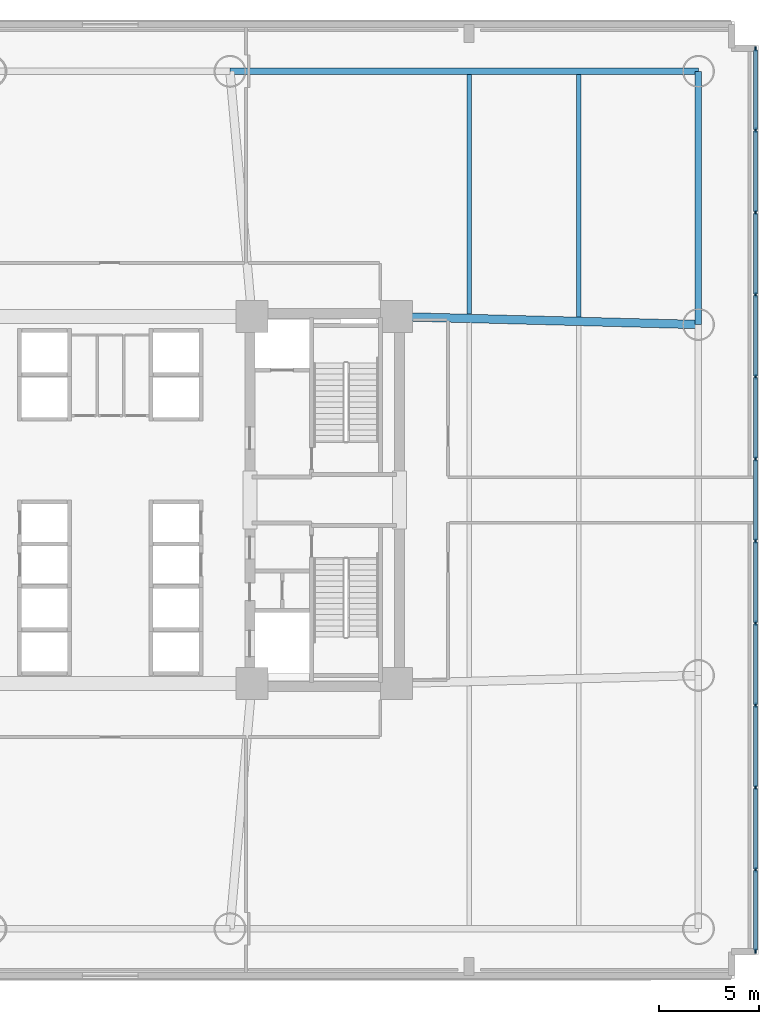
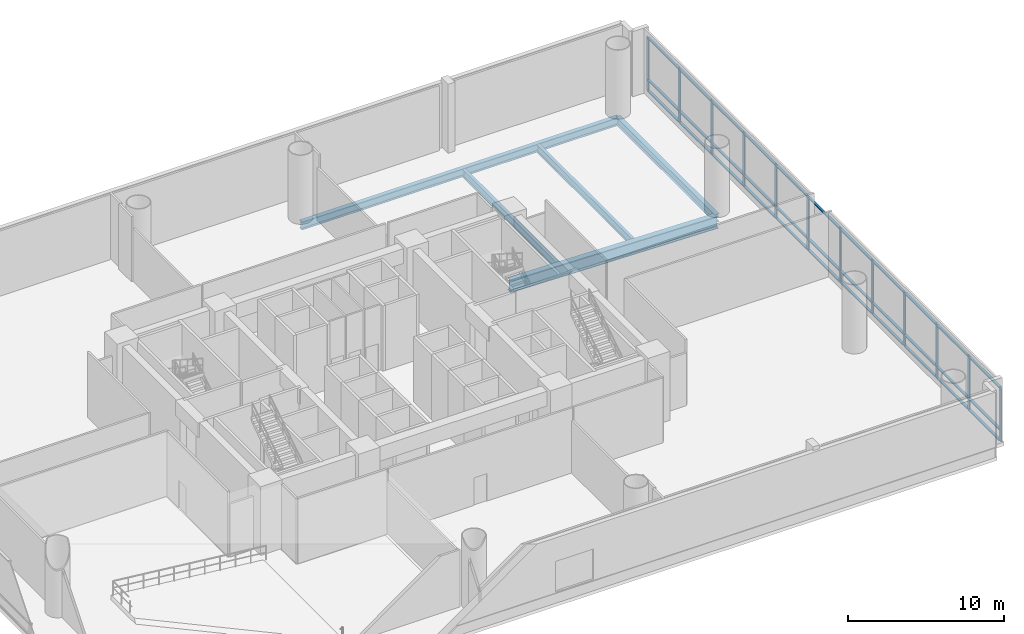
# One storey, part 5 of 15: 45 members, 5 beams, 1 element without a shape of its own.
"""IFC4 building model written with IfcOpenShell, lengths in metres."""

from ifc_helpers import new_model, si_unit, direction, frame, origin, origin_2d, place, context, subcontext, project, spatial, rectangle, i_section, extrude, source, transform, mapped, material, layer, layer_set, material_profile, profile_set, type_object, element, aggregate, save


model = new_model("IFC4")

# Units and contexts
model_context = context("Model", 3, precision=1e-05, world=origin(), true_north=direction((0.0, 1.0)))
body_context = subcontext(model_context, "Body", "Model", "MODEL_VIEW")
ifc_project = project(units=[si_unit("LENGTHUNIT", "METRE"), si_unit("AREAUNIT", "SQUARE_METRE"), si_unit("VOLUMEUNIT", "CUBIC_METRE"), si_unit("PLANEANGLEUNIT", "RADIAN"), si_unit("MASSUNIT", "GRAM", prefix="KILO")], contexts=[model_context])

# Site, building, storey
site_placement = place(None, origin())
site = spatial("IfcSite", under=ifc_project, at=site_placement, CompositionType="ELEMENT")
building_placement = place(site_placement, origin())
building = spatial("IfcBuilding", under=site, at=building_placement, Name="Zahravan Cultural Tower", CompositionType="ELEMENT")
storey_placement = place(building_placement, frame((0.0, 0.0, 12.60009765625)))
storey = spatial("IfcBuildingStorey", under=building, at=storey_placement, Name="L02", CompositionType="ELEMENT", Elevation=12.60009765625)

# Beams
ifc_material_1 = material(Name="Steel ASTM A992 Grade 50", Category="steel")
ifc_material_profile_1 = material_profile(ifc_material_1, i_section(OverallWidth=0.326904296875, OverallDepth=0.6220703125, WebThickness=0.015380859375, FlangeThickness=0.0244140625, FilletRadius=0.014892578125, at=origin_2d()), Name="W24X131")
ifc_profile_set_1 = profile_set([ifc_material_profile_1], Name="Steel ASTM A992 Grade 50")
beam_type_1 = type_object("IfcBeamType", Name="BM-SP-W24X131", PredefinedType="SPANDREL", material=ifc_profile_set_1)
shared_shape_1 = source(origin(), body_context, "Body", "SweptSolid", [
    extrude(i_section(OverallWidth=0.326904296875, OverallDepth=0.6220703125, WebThickness=0.015380859375, FlangeThickness=0.0244140625, FilletRadius=0.014892578125, at=origin_2d()), origin(), (0.0, 0.0, 1.0), 23.5),
])
beam_1_placement = place(storey_placement, frame((42.0, 48.5, -0.611083984375), z_axis=(1.0, 0.0, 0.0), x_axis=(0.0, 1.0, 0.0)))
element("IfcBeam", 1, at=beam_1_placement, inside=storey, type_object=beam_type_1, Name="L02 Beam BG-L02-12", PredefinedType="SPANDREL", context=body_context, shape_type="MappedRepresentation", body=[
    mapped(shared_shape_1, transform((0.0, 0.0, 0.0), x_axis=(1.0, 0.0, 0.0), y_axis=(0.0, 1.0, 0.0), z_axis=(0.0, 0.0, 1.0), scale=1.0)),
])
shared_shape_2 = source(origin(), body_context, "Body", "SweptSolid", [
    extrude(i_section(OverallWidth=0.326904296875, OverallDepth=0.6220703125, WebThickness=0.015380859375, FlangeThickness=0.0244140625, FilletRadius=0.014892578125, at=origin_2d()), origin(), (0.0, 0.0, 1.0), 12.699951171875),
])
beam_2_placement = place(storey_placement, frame((65.5, 35.800048828125, -0.611083984375), z_axis=(0.0, 1.0, 0.0), x_axis=(-1.0, 0.0, 0.0)))
element("IfcBeam", 2, at=beam_2_placement, inside=storey, type_object=beam_type_1, Name="L02 Beam BG-L02-18", PredefinedType="SPANDREL", context=body_context, shape_type="MappedRepresentation", body=[
    mapped(shared_shape_2, transform((0.0, 0.0, 0.0), x_axis=(1.0, 0.0, 0.0), y_axis=(0.0, 1.0, 0.0), z_axis=(0.0, 0.0, 1.0), scale=1.0)),
])
ifc_material_profile_2 = material_profile(ifc_material_1, i_section(OverallWidth=0.425048828125, OverallDepth=0.965087890625, WebThickness=0.0283203125, FlangeThickness=0.051025390625, FilletRadius=0.02392578125, at=origin_2d()), Name="W36X361")
ifc_profile_set_2 = profile_set([ifc_material_profile_2], Name="Steel ASTM A992 Grade 50")
beam_type_2 = type_object("IfcBeamType", Name="BM-G-W36X361", PredefinedType="BEAM", material=ifc_profile_set_2)
shared_shape_3 = source(origin(), body_context, "Body", "SweptSolid", [
    extrude(i_section(OverallWidth=0.425048828125, OverallDepth=0.965087890625, WebThickness=0.0283203125, FlangeThickness=0.051025390625, FilletRadius=0.02392578125, at=origin_2d()), origin(), (0.0, 0.0, 1.0), 15.1552734375),
])
beam_3_placement = place(storey_placement, frame((65.5, 35.800048828125, -0.78271484375), z_axis=(-0.999651797923, 0.026387173188, 0.0), x_axis=(-0.026387173188, -0.999651797923, 0.0)))
element("IfcBeam", 3, at=beam_3_placement, inside=storey, type_object=beam_type_2, Name="L02 Beam BG-L02-22", PredefinedType="BEAM", context=body_context, shape_type="MappedRepresentation", body=[
    mapped(shared_shape_3, transform((0.0, 0.0, 0.0), x_axis=(1.0, 0.0, 0.0), y_axis=(0.0, 1.0, 0.0), z_axis=(0.0, 0.0, 1.0), scale=1.0)),
])
ifc_material_profile_3 = material_profile(ifc_material_1, i_section(OverallWidth=0.22998046875, OverallDepth=0.616943359375, WebThickness=0.01318359375, FlangeThickness=0.022216796875, FilletRadius=0.014892578125, at=origin_2d()), Name="W24X94")
ifc_profile_set_3 = profile_set([ifc_material_profile_3], Name="Steel ASTM A992 Grade 50")
beam_type_3 = type_object("IfcBeamType", Name="BM-J-W24X94", PredefinedType="JOIST", material=ifc_profile_set_3)
shared_shape_4 = source(origin(), body_context, "Body", "SweptSolid", [
    extrude(i_section(OverallWidth=0.22998046875, OverallDepth=0.616943359375, WebThickness=0.01318359375, FlangeThickness=0.022216796875, FilletRadius=0.014892578125, at=origin_2d()), origin(), (0.0, 0.0, 1.0), 12.16357421875),
])
beam_4_placement = place(storey_placement, frame((59.5, 36.17138671875, -0.608642578125), z_axis=(0.0, 1.0, 0.0), x_axis=(-1.0, 0.0, 0.0)))
element("IfcBeam", 4, at=beam_4_placement, inside=storey, type_object=beam_type_3, Name="L02 Beam BJ-L02-39", PredefinedType="JOIST", context=body_context, shape_type="MappedRepresentation", body=[
    mapped(shared_shape_4, transform((0.0, 0.0, 0.0), x_axis=(1.0, 0.0, 0.0), y_axis=(0.0, 1.0, 0.0), z_axis=(0.0, 0.0, 1.0), scale=1.0)),
])
shared_shape_5 = source(origin(), body_context, "Body", "SweptSolid", [
    extrude(i_section(OverallWidth=0.22998046875, OverallDepth=0.616943359375, WebThickness=0.01318359375, FlangeThickness=0.022216796875, FilletRadius=0.014892578125, at=origin_2d()), origin(), (0.0, 0.0, 1.0), 12.018310546875),
])
beam_5_placement = place(storey_placement, frame((54.0, 36.316650390625, -0.608642578125), z_axis=(0.0, 1.0, 0.0), x_axis=(-1.0, 0.0, 0.0)))
element("IfcBeam", 5, at=beam_5_placement, inside=storey, type_object=beam_type_3, Name="L02 Beam BJ-L02-36", PredefinedType="JOIST", context=body_context, shape_type="MappedRepresentation", body=[
    mapped(shared_shape_5, transform((0.0, 0.0, 0.0), x_axis=(1.0, 0.0, 0.0), y_axis=(0.0, 1.0, 0.0), z_axis=(0.0, 0.0, 1.0), scale=1.0)),
])

# Curtain wall, members
ifc_material_2 = material(Name="Anodised bronze-aluminium mullion", Category="aluminium")
ifc_layer = layer(ifc_material_2, 0.239990234375)
ifc_layer_set = layer_set([ifc_layer], Name="Anodised bronze-aluminium mullion")
curtain_wall_type = type_object("IfcCurtainWallType", Name="CW-SYS-5", PredefinedType="USERDEFINED", material=ifc_layer_set)
curtain_wall_placement = place(storey_placement, origin())
curtain_wall = element("IfcCurtainWall", 6, at=curtain_wall_placement, inside=storey, type_object=curtain_wall_type, Name="L02 Recessed Curtain Wall CW-5.1", ObjectType="RECESSED GLAZING", PredefinedType="USERDEFINED")
ifc_material_profile_4 = material_profile(ifc_material_2, rectangle(XDim=0.0849609375, YDim=0.239990234375, at=origin_2d()), Name="AL-M85X240")
ifc_profile_set_4 = profile_set([ifc_material_profile_4], Name="Anodised bronze-aluminium mullion")
member_type_1 = type_object("IfcMemberType", Name="CWM-CW-5", PredefinedType="MULLION", material=ifc_profile_set_4)
shared_shape_6 = source(origin(), body_context, "Body", "SweptSolid", [
    extrude(rectangle(XDim=0.0849609375, YDim=0.239990234375, at=origin_2d()), origin(), (0.0, 0.0, 1.0), 4.219970703125),
])
member_1_placement = place(storey_placement, frame((68.360107421875, 49.617431640625, 0.0), z_axis=(0.0, 0.0, 1.0), x_axis=(1.0, 0.0, 0.0)))
member_1 = element("IfcMember", 7, at=member_1_placement, type_object=member_type_1, Name="CW-5 mullion 1", PredefinedType="MULLION", context=body_context, shape_type="MappedRepresentation", body=[
    mapped(shared_shape_6, transform((0.0, 0.0, 0.0), x_axis=(1.0, 0.0, 0.0), y_axis=(0.0, 1.0, 0.0), z_axis=(0.0, 0.0, 1.0), scale=1.0)),
])
member_2_placement = place(storey_placement, frame((68.360107421875, 45.5400390625, 0.0), z_axis=(0.0, 0.0, 1.0), x_axis=(1.0, 0.0, 0.0)))
member_2 = element("IfcMember", 8, at=member_2_placement, type_object=member_type_1, Name="CW-5 mullion 2", PredefinedType="MULLION", context=body_context, shape_type="MappedRepresentation", body=[
    mapped(shared_shape_6, transform((0.0, 0.0, 0.0), x_axis=(1.0, 0.0, 0.0), y_axis=(0.0, 1.0, 0.0), z_axis=(0.0, 0.0, 1.0), scale=1.0)),
])
member_3_placement = place(storey_placement, frame((68.360107421875, 41.419921875, 0.0), z_axis=(0.0, 0.0, 1.0), x_axis=(1.0, 0.0, 0.0)))
member_3 = element("IfcMember", 9, at=member_3_placement, type_object=member_type_1, Name="CW-5 mullion 3", PredefinedType="MULLION", context=body_context, shape_type="MappedRepresentation", body=[
    mapped(shared_shape_6, transform((0.0, 0.0, 0.0), x_axis=(1.0, 0.0, 0.0), y_axis=(0.0, 1.0, 0.0), z_axis=(0.0, 0.0, 1.0), scale=1.0)),
])
member_4_placement = place(storey_placement, frame((68.360107421875, 37.300048828125, 0.0), z_axis=(0.0, 0.0, 1.0), x_axis=(1.0, 0.0, 0.0)))
member_4 = element("IfcMember", 10, at=member_4_placement, type_object=member_type_1, Name="CW-5 mullion 4", PredefinedType="MULLION", context=body_context, shape_type="MappedRepresentation", body=[
    mapped(shared_shape_6, transform((0.0, 0.0, 0.0), x_axis=(1.0, 0.0, 0.0), y_axis=(0.0, 1.0, 0.0), z_axis=(0.0, 0.0, 1.0), scale=1.0)),
])
member_5_placement = place(storey_placement, frame((68.360107421875, 33.179931640625, 0.0), z_axis=(0.0, 0.0, 1.0), x_axis=(1.0, 0.0, 0.0)))
member_5 = element("IfcMember", 11, at=member_5_placement, type_object=member_type_1, Name="CW-5 mullion 5", PredefinedType="MULLION", context=body_context, shape_type="MappedRepresentation", body=[
    mapped(shared_shape_6, transform((0.0, 0.0, 0.0), x_axis=(1.0, 0.0, 0.0), y_axis=(0.0, 1.0, 0.0), z_axis=(0.0, 0.0, 1.0), scale=1.0)),
])
member_6_placement = place(storey_placement, frame((68.360107421875, 29.06005859375, 0.0), z_axis=(0.0, 0.0, 1.0), x_axis=(1.0, 0.0, 0.0)))
member_6 = element("IfcMember", 12, at=member_6_placement, type_object=member_type_1, Name="CW-5 mullion 6", PredefinedType="MULLION", context=body_context, shape_type="MappedRepresentation", body=[
    mapped(shared_shape_6, transform((0.0, 0.0, 0.0), x_axis=(1.0, 0.0, 0.0), y_axis=(0.0, 1.0, 0.0), z_axis=(0.0, 0.0, 1.0), scale=1.0)),
])
member_7_placement = place(storey_placement, frame((68.360107421875, 24.93994140625, 0.0), z_axis=(0.0, 0.0, 1.0), x_axis=(1.0, 0.0, 0.0)))
member_7 = element("IfcMember", 13, at=member_7_placement, type_object=member_type_1, Name="CW-5 mullion 7", PredefinedType="MULLION", context=body_context, shape_type="MappedRepresentation", body=[
    mapped(shared_shape_6, transform((0.0, 0.0, 0.0), x_axis=(1.0, 0.0, 0.0), y_axis=(0.0, 1.0, 0.0), z_axis=(0.0, 0.0, 1.0), scale=1.0)),
])
member_8_placement = place(storey_placement, frame((68.360107421875, 20.820068359375, 0.0), z_axis=(0.0, 0.0, 1.0), x_axis=(1.0, 0.0, 0.0)))
member_8 = element("IfcMember", 14, at=member_8_placement, type_object=member_type_1, Name="CW-5 mullion 8", PredefinedType="MULLION", context=body_context, shape_type="MappedRepresentation", body=[
    mapped(shared_shape_6, transform((0.0, 0.0, 0.0), x_axis=(1.0, 0.0, 0.0), y_axis=(0.0, 1.0, 0.0), z_axis=(0.0, 0.0, 1.0), scale=1.0)),
])
member_9_placement = place(storey_placement, frame((68.360107421875, 16.699951171875, 0.0), z_axis=(0.0, 0.0, 1.0), x_axis=(1.0, 0.0, 0.0)))
member_9 = element("IfcMember", 15, at=member_9_placement, type_object=member_type_1, Name="CW-5 mullion 9", PredefinedType="MULLION", context=body_context, shape_type="MappedRepresentation", body=[
    mapped(shared_shape_6, transform((0.0, 0.0, 0.0), x_axis=(1.0, 0.0, 0.0), y_axis=(0.0, 1.0, 0.0), z_axis=(0.0, 0.0, 1.0), scale=1.0)),
])
member_10_placement = place(storey_placement, frame((68.360107421875, 12.580078125, 0.0), z_axis=(0.0, 0.0, 1.0), x_axis=(1.0, 0.0, 0.0)))
member_10 = element("IfcMember", 16, at=member_10_placement, type_object=member_type_1, Name="CW-5 mullion 10", PredefinedType="MULLION", context=body_context, shape_type="MappedRepresentation", body=[
    mapped(shared_shape_6, transform((0.0, 0.0, 0.0), x_axis=(1.0, 0.0, 0.0), y_axis=(0.0, 1.0, 0.0), z_axis=(0.0, 0.0, 1.0), scale=1.0)),
])
member_11_placement = place(storey_placement, frame((68.360107421875, 8.4599609375, 0.0), z_axis=(0.0, 0.0, 1.0), x_axis=(1.0, 0.0, 0.0)))
member_11 = element("IfcMember", 17, at=member_11_placement, type_object=member_type_1, Name="CW-5 mullion 11", PredefinedType="MULLION", context=body_context, shape_type="MappedRepresentation", body=[
    mapped(shared_shape_6, transform((0.0, 0.0, 0.0), x_axis=(1.0, 0.0, 0.0), y_axis=(0.0, 1.0, 0.0), z_axis=(0.0, 0.0, 1.0), scale=1.0)),
])
member_12_placement = place(storey_placement, frame((68.360107421875, 4.382568359375, 0.0), z_axis=(0.0, 0.0, 1.0), x_axis=(1.0, 0.0, 0.0)))
member_12 = element("IfcMember", 18, at=member_12_placement, type_object=member_type_1, Name="CW-5 mullion 12", PredefinedType="MULLION", context=body_context, shape_type="MappedRepresentation", body=[
    mapped(shared_shape_6, transform((0.0, 0.0, 0.0), x_axis=(1.0, 0.0, 0.0), y_axis=(0.0, 1.0, 0.0), z_axis=(0.0, 0.0, 1.0), scale=1.0)),
])
ifc_material_profile_5 = material_profile(ifc_material_2, rectangle(XDim=0.179931640625, YDim=0.0849609375, at=origin_2d()), Name="AL-T85X180")
ifc_profile_set_5 = profile_set([ifc_material_profile_5], Name="Anodised bronze-aluminium mullion")
member_type_2 = type_object("IfcMemberType", Name="CWT-CW-5", PredefinedType="USERDEFINED", material=ifc_profile_set_5)
shared_shape_7 = source(origin(), body_context, "Body", "SweptSolid", [
    extrude(rectangle(XDim=0.179931640625, YDim=0.0849609375, at=origin_2d()), origin(), (0.0, 0.0, 1.0), 3.992431640625),
])
member_13_placement = place(storey_placement, frame((68.360107421875, 49.574951171875, 0.04248046875), z_axis=(0.0, -1.0, 0.0), x_axis=(1.0, 0.0, 0.0)))
member_13 = element("IfcMember", 19, at=member_13_placement, type_object=member_type_2, Name="CW-5 transom 1.1", ObjectType="TRANSOM", PredefinedType="USERDEFINED", context=body_context, shape_type="MappedRepresentation", body=[
    mapped(shared_shape_7, transform((0.0, 0.0, 0.0), x_axis=(1.0, 0.0, 0.0), y_axis=(0.0, 1.0, 0.0), z_axis=(0.0, 0.0, 1.0), scale=1.0)),
])
member_14_placement = place(storey_placement, frame((68.360107421875, 49.574951171875, 0.89990234375), z_axis=(0.0, -1.0, 0.0), x_axis=(1.0, 0.0, 0.0)))
member_14 = element("IfcMember", 20, at=member_14_placement, type_object=member_type_2, Name="CW-5 transom 1.2", ObjectType="TRANSOM", PredefinedType="USERDEFINED", context=body_context, shape_type="MappedRepresentation", body=[
    mapped(shared_shape_7, transform((0.0, 0.0, 0.0), x_axis=(1.0, 0.0, 0.0), y_axis=(0.0, 1.0, 0.0), z_axis=(0.0, 0.0, 1.0), scale=1.0)),
])
member_15_placement = place(storey_placement, frame((68.360107421875, 49.574951171875, 4.177490234375), z_axis=(0.0, -1.0, 0.0), x_axis=(1.0, 0.0, 0.0)))
member_15 = element("IfcMember", 21, at=member_15_placement, type_object=member_type_2, Name="CW-5 transom 1.3", ObjectType="TRANSOM", PredefinedType="USERDEFINED", context=body_context, shape_type="MappedRepresentation", body=[
    mapped(shared_shape_7, transform((0.0, 0.0, 0.0), x_axis=(1.0, 0.0, 0.0), y_axis=(0.0, 1.0, 0.0), z_axis=(0.0, 0.0, 1.0), scale=1.0)),
])
member_16_placement = place(storey_placement, frame((68.360107421875, 8.41748046875, 0.04248046875), z_axis=(0.0, -1.0, 0.0), x_axis=(1.0, 0.0, 0.0)))
member_16 = element("IfcMember", 22, at=member_16_placement, type_object=member_type_2, Name="CW-5 transom 11.1", ObjectType="TRANSOM", PredefinedType="USERDEFINED", context=body_context, shape_type="MappedRepresentation", body=[
    mapped(shared_shape_7, transform((0.0, 0.0, 0.0), x_axis=(1.0, 0.0, 0.0), y_axis=(0.0, 1.0, 0.0), z_axis=(0.0, 0.0, 1.0), scale=1.0)),
])
member_17_placement = place(storey_placement, frame((68.360107421875, 8.41748046875, 0.89990234375), z_axis=(0.0, -1.0, 0.0), x_axis=(1.0, 0.0, 0.0)))
member_17 = element("IfcMember", 23, at=member_17_placement, type_object=member_type_2, Name="CW-5 transom 11.2", ObjectType="TRANSOM", PredefinedType="USERDEFINED", context=body_context, shape_type="MappedRepresentation", body=[
    mapped(shared_shape_7, transform((0.0, 0.0, 0.0), x_axis=(1.0, 0.0, 0.0), y_axis=(0.0, 1.0, 0.0), z_axis=(0.0, 0.0, 1.0), scale=1.0)),
])
member_18_placement = place(storey_placement, frame((68.360107421875, 8.41748046875, 4.177490234375), z_axis=(0.0, -1.0, 0.0), x_axis=(1.0, 0.0, 0.0)))
member_18 = element("IfcMember", 24, at=member_18_placement, type_object=member_type_2, Name="CW-5 transom 11.3", ObjectType="TRANSOM", PredefinedType="USERDEFINED", context=body_context, shape_type="MappedRepresentation", body=[
    mapped(shared_shape_7, transform((0.0, 0.0, 0.0), x_axis=(1.0, 0.0, 0.0), y_axis=(0.0, 1.0, 0.0), z_axis=(0.0, 0.0, 1.0), scale=1.0)),
])
shared_shape_8 = source(origin(), body_context, "Body", "SweptSolid", [
    extrude(rectangle(XDim=0.179931640625, YDim=0.0849609375, at=origin_2d()), origin(), (0.0, 0.0, 1.0), 4.03515625),
])
member_19_placement = place(storey_placement, frame((68.360107421875, 45.49755859375, 0.04248046875), z_axis=(0.0, -1.0, 0.0), x_axis=(1.0, 0.0, 0.0)))
member_19 = element("IfcMember", 25, at=member_19_placement, type_object=member_type_2, Name="CW-5 transom 2.1", ObjectType="TRANSOM", PredefinedType="USERDEFINED", context=body_context, shape_type="MappedRepresentation", body=[
    mapped(shared_shape_8, transform((0.0, 0.0, 0.0), x_axis=(1.0, 0.0, 0.0), y_axis=(0.0, 1.0, 0.0), z_axis=(0.0, 0.0, 1.0), scale=1.0)),
])
member_20_placement = place(storey_placement, frame((68.360107421875, 45.49755859375, 0.89990234375), z_axis=(0.0, -1.0, 0.0), x_axis=(1.0, 0.0, 0.0)))
member_20 = element("IfcMember", 26, at=member_20_placement, type_object=member_type_2, Name="CW-5 transom 2.2", ObjectType="TRANSOM", PredefinedType="USERDEFINED", context=body_context, shape_type="MappedRepresentation", body=[
    mapped(shared_shape_8, transform((0.0, 0.0, 0.0), x_axis=(1.0, 0.0, 0.0), y_axis=(0.0, 1.0, 0.0), z_axis=(0.0, 0.0, 1.0), scale=1.0)),
])
member_21_placement = place(storey_placement, frame((68.360107421875, 45.49755859375, 4.177490234375), z_axis=(0.0, -1.0, 0.0), x_axis=(1.0, 0.0, 0.0)))
member_21 = element("IfcMember", 27, at=member_21_placement, type_object=member_type_2, Name="CW-5 transom 2.3", ObjectType="TRANSOM", PredefinedType="USERDEFINED", context=body_context, shape_type="MappedRepresentation", body=[
    mapped(shared_shape_8, transform((0.0, 0.0, 0.0), x_axis=(1.0, 0.0, 0.0), y_axis=(0.0, 1.0, 0.0), z_axis=(0.0, 0.0, 1.0), scale=1.0)),
])
member_22_placement = place(storey_placement, frame((68.360107421875, 37.257568359375, 0.04248046875), z_axis=(0.0, -1.0, 0.0), x_axis=(1.0, 0.0, 0.0)))
member_22 = element("IfcMember", 28, at=member_22_placement, type_object=member_type_2, Name="CW-5 transom 4.1", ObjectType="TRANSOM", PredefinedType="USERDEFINED", context=body_context, shape_type="MappedRepresentation", body=[
    mapped(shared_shape_8, transform((0.0, 0.0, 0.0), x_axis=(1.0, 0.0, 0.0), y_axis=(0.0, 1.0, 0.0), z_axis=(0.0, 0.0, 1.0), scale=1.0)),
])
member_23_placement = place(storey_placement, frame((68.360107421875, 37.257568359375, 0.89990234375), z_axis=(0.0, -1.0, 0.0), x_axis=(1.0, 0.0, 0.0)))
member_23 = element("IfcMember", 29, at=member_23_placement, type_object=member_type_2, Name="CW-5 transom 4.2", ObjectType="TRANSOM", PredefinedType="USERDEFINED", context=body_context, shape_type="MappedRepresentation", body=[
    mapped(shared_shape_8, transform((0.0, 0.0, 0.0), x_axis=(1.0, 0.0, 0.0), y_axis=(0.0, 1.0, 0.0), z_axis=(0.0, 0.0, 1.0), scale=1.0)),
])
member_24_placement = place(storey_placement, frame((68.360107421875, 37.257568359375, 4.177490234375), z_axis=(0.0, -1.0, 0.0), x_axis=(1.0, 0.0, 0.0)))
member_24 = element("IfcMember", 30, at=member_24_placement, type_object=member_type_2, Name="CW-5 transom 4.3", ObjectType="TRANSOM", PredefinedType="USERDEFINED", context=body_context, shape_type="MappedRepresentation", body=[
    mapped(shared_shape_8, transform((0.0, 0.0, 0.0), x_axis=(1.0, 0.0, 0.0), y_axis=(0.0, 1.0, 0.0), z_axis=(0.0, 0.0, 1.0), scale=1.0)),
])
member_25_placement = place(storey_placement, frame((68.360107421875, 29.017578125, 0.04248046875), z_axis=(0.0, -1.0, 0.0), x_axis=(1.0, 0.0, 0.0)))
member_25 = element("IfcMember", 31, at=member_25_placement, type_object=member_type_2, Name="CW-5 transom 6.1", ObjectType="TRANSOM", PredefinedType="USERDEFINED", context=body_context, shape_type="MappedRepresentation", body=[
    mapped(shared_shape_8, transform((0.0, 0.0, 0.0), x_axis=(1.0, 0.0, 0.0), y_axis=(0.0, 1.0, 0.0), z_axis=(0.0, 0.0, 1.0), scale=1.0)),
])
member_26_placement = place(storey_placement, frame((68.360107421875, 29.017578125, 0.89990234375), z_axis=(0.0, -1.0, 0.0), x_axis=(1.0, 0.0, 0.0)))
member_26 = element("IfcMember", 32, at=member_26_placement, type_object=member_type_2, Name="CW-5 transom 6.2", ObjectType="TRANSOM", PredefinedType="USERDEFINED", context=body_context, shape_type="MappedRepresentation", body=[
    mapped(shared_shape_8, transform((0.0, 0.0, 0.0), x_axis=(1.0, 0.0, 0.0), y_axis=(0.0, 1.0, 0.0), z_axis=(0.0, 0.0, 1.0), scale=1.0)),
])
member_27_placement = place(storey_placement, frame((68.360107421875, 29.017578125, 4.177490234375), z_axis=(0.0, -1.0, 0.0), x_axis=(1.0, 0.0, 0.0)))
member_27 = element("IfcMember", 33, at=member_27_placement, type_object=member_type_2, Name="CW-5 transom 6.3", ObjectType="TRANSOM", PredefinedType="USERDEFINED", context=body_context, shape_type="MappedRepresentation", body=[
    mapped(shared_shape_8, transform((0.0, 0.0, 0.0), x_axis=(1.0, 0.0, 0.0), y_axis=(0.0, 1.0, 0.0), z_axis=(0.0, 0.0, 1.0), scale=1.0)),
])
member_28_placement = place(storey_placement, frame((68.360107421875, 20.777587890625, 0.04248046875), z_axis=(0.0, -1.0, 0.0), x_axis=(1.0, 0.0, 0.0)))
member_28 = element("IfcMember", 34, at=member_28_placement, type_object=member_type_2, Name="CW-5 transom 8.1", ObjectType="TRANSOM", PredefinedType="USERDEFINED", context=body_context, shape_type="MappedRepresentation", body=[
    mapped(shared_shape_8, transform((0.0, 0.0, 0.0), x_axis=(1.0, 0.0, 0.0), y_axis=(0.0, 1.0, 0.0), z_axis=(0.0, 0.0, 1.0), scale=1.0)),
])
member_29_placement = place(storey_placement, frame((68.360107421875, 20.777587890625, 0.89990234375), z_axis=(0.0, -1.0, 0.0), x_axis=(1.0, 0.0, 0.0)))
member_29 = element("IfcMember", 35, at=member_29_placement, type_object=member_type_2, Name="CW-5 transom 8.2", ObjectType="TRANSOM", PredefinedType="USERDEFINED", context=body_context, shape_type="MappedRepresentation", body=[
    mapped(shared_shape_8, transform((0.0, 0.0, 0.0), x_axis=(1.0, 0.0, 0.0), y_axis=(0.0, 1.0, 0.0), z_axis=(0.0, 0.0, 1.0), scale=1.0)),
])
member_30_placement = place(storey_placement, frame((68.360107421875, 20.777587890625, 4.177490234375), z_axis=(0.0, -1.0, 0.0), x_axis=(1.0, 0.0, 0.0)))
member_30 = element("IfcMember", 36, at=member_30_placement, type_object=member_type_2, Name="CW-5 transom 8.3", ObjectType="TRANSOM", PredefinedType="USERDEFINED", context=body_context, shape_type="MappedRepresentation", body=[
    mapped(shared_shape_8, transform((0.0, 0.0, 0.0), x_axis=(1.0, 0.0, 0.0), y_axis=(0.0, 1.0, 0.0), z_axis=(0.0, 0.0, 1.0), scale=1.0)),
])
member_31_placement = place(storey_placement, frame((68.360107421875, 12.53759765625, 0.04248046875), z_axis=(0.0, -1.0, 0.0), x_axis=(1.0, 0.0, 0.0)))
member_31 = element("IfcMember", 37, at=member_31_placement, type_object=member_type_2, Name="CW-5 transom 10.1", ObjectType="TRANSOM", PredefinedType="USERDEFINED", context=body_context, shape_type="MappedRepresentation", body=[
    mapped(shared_shape_8, transform((0.0, 0.0, 0.0), x_axis=(1.0, 0.0, 0.0), y_axis=(0.0, 1.0, 0.0), z_axis=(0.0, 0.0, 1.0), scale=1.0)),
])
member_32_placement = place(storey_placement, frame((68.360107421875, 12.53759765625, 0.89990234375), z_axis=(0.0, -1.0, 0.0), x_axis=(1.0, 0.0, 0.0)))
member_32 = element("IfcMember", 38, at=member_32_placement, type_object=member_type_2, Name="CW-5 transom 10.2", ObjectType="TRANSOM", PredefinedType="USERDEFINED", context=body_context, shape_type="MappedRepresentation", body=[
    mapped(shared_shape_8, transform((0.0, 0.0, 0.0), x_axis=(1.0, 0.0, 0.0), y_axis=(0.0, 1.0, 0.0), z_axis=(0.0, 0.0, 1.0), scale=1.0)),
])
member_33_placement = place(storey_placement, frame((68.360107421875, 12.53759765625, 4.177490234375), z_axis=(0.0, -1.0, 0.0), x_axis=(1.0, 0.0, 0.0)))
member_33 = element("IfcMember", 39, at=member_33_placement, type_object=member_type_2, Name="CW-5 transom 10.3", ObjectType="TRANSOM", PredefinedType="USERDEFINED", context=body_context, shape_type="MappedRepresentation", body=[
    mapped(shared_shape_8, transform((0.0, 0.0, 0.0), x_axis=(1.0, 0.0, 0.0), y_axis=(0.0, 1.0, 0.0), z_axis=(0.0, 0.0, 1.0), scale=1.0)),
])
shared_shape_9 = source(origin(), body_context, "Body", "SweptSolid", [
    extrude(rectangle(XDim=0.179931640625, YDim=0.0849609375, at=origin_2d()), origin(), (0.0, 0.0, 1.0), 4.034912109375),
])
member_34_placement = place(storey_placement, frame((68.360107421875, 41.37744140625, 0.04248046875), z_axis=(0.0, -1.0, 0.0), x_axis=(1.0, 0.0, 0.0)))
member_34 = element("IfcMember", 40, at=member_34_placement, type_object=member_type_2, Name="CW-5 transom 3.1", ObjectType="TRANSOM", PredefinedType="USERDEFINED", context=body_context, shape_type="MappedRepresentation", body=[
    mapped(shared_shape_9, transform((0.0, 0.0, 0.0), x_axis=(1.0, 0.0, 0.0), y_axis=(0.0, 1.0, 0.0), z_axis=(0.0, 0.0, 1.0), scale=1.0)),
])
member_35_placement = place(storey_placement, frame((68.360107421875, 41.37744140625, 0.89990234375), z_axis=(0.0, -1.0, 0.0), x_axis=(1.0, 0.0, 0.0)))
member_35 = element("IfcMember", 41, at=member_35_placement, type_object=member_type_2, Name="CW-5 transom 3.2", ObjectType="TRANSOM", PredefinedType="USERDEFINED", context=body_context, shape_type="MappedRepresentation", body=[
    mapped(shared_shape_9, transform((0.0, 0.0, 0.0), x_axis=(1.0, 0.0, 0.0), y_axis=(0.0, 1.0, 0.0), z_axis=(0.0, 0.0, 1.0), scale=1.0)),
])
member_36_placement = place(storey_placement, frame((68.360107421875, 41.37744140625, 4.177490234375), z_axis=(0.0, -1.0, 0.0), x_axis=(1.0, 0.0, 0.0)))
member_36 = element("IfcMember", 42, at=member_36_placement, type_object=member_type_2, Name="CW-5 transom 3.3", ObjectType="TRANSOM", PredefinedType="USERDEFINED", context=body_context, shape_type="MappedRepresentation", body=[
    mapped(shared_shape_9, transform((0.0, 0.0, 0.0), x_axis=(1.0, 0.0, 0.0), y_axis=(0.0, 1.0, 0.0), z_axis=(0.0, 0.0, 1.0), scale=1.0)),
])
member_37_placement = place(storey_placement, frame((68.360107421875, 33.137451171875, 0.04248046875), z_axis=(0.0, -1.0, 0.0), x_axis=(1.0, 0.0, 0.0)))
member_37 = element("IfcMember", 43, at=member_37_placement, type_object=member_type_2, Name="CW-5 transom 5.1", ObjectType="TRANSOM", PredefinedType="USERDEFINED", context=body_context, shape_type="MappedRepresentation", body=[
    mapped(shared_shape_9, transform((0.0, 0.0, 0.0), x_axis=(1.0, 0.0, 0.0), y_axis=(0.0, 1.0, 0.0), z_axis=(0.0, 0.0, 1.0), scale=1.0)),
])
member_38_placement = place(storey_placement, frame((68.360107421875, 33.137451171875, 0.89990234375), z_axis=(0.0, -1.0, 0.0), x_axis=(1.0, 0.0, 0.0)))
member_38 = element("IfcMember", 44, at=member_38_placement, type_object=member_type_2, Name="CW-5 transom 5.2", ObjectType="TRANSOM", PredefinedType="USERDEFINED", context=body_context, shape_type="MappedRepresentation", body=[
    mapped(shared_shape_9, transform((0.0, 0.0, 0.0), x_axis=(1.0, 0.0, 0.0), y_axis=(0.0, 1.0, 0.0), z_axis=(0.0, 0.0, 1.0), scale=1.0)),
])
member_39_placement = place(storey_placement, frame((68.360107421875, 33.137451171875, 4.177490234375), z_axis=(0.0, -1.0, 0.0), x_axis=(1.0, 0.0, 0.0)))
member_39 = element("IfcMember", 45, at=member_39_placement, type_object=member_type_2, Name="CW-5 transom 5.3", ObjectType="TRANSOM", PredefinedType="USERDEFINED", context=body_context, shape_type="MappedRepresentation", body=[
    mapped(shared_shape_9, transform((0.0, 0.0, 0.0), x_axis=(1.0, 0.0, 0.0), y_axis=(0.0, 1.0, 0.0), z_axis=(0.0, 0.0, 1.0), scale=1.0)),
])
member_40_placement = place(storey_placement, frame((68.360107421875, 24.8974609375, 0.04248046875), z_axis=(0.0, -1.0, 0.0), x_axis=(1.0, 0.0, 0.0)))
member_40 = element("IfcMember", 46, at=member_40_placement, type_object=member_type_2, Name="CW-5 transom 7.1", ObjectType="TRANSOM", PredefinedType="USERDEFINED", context=body_context, shape_type="MappedRepresentation", body=[
    mapped(shared_shape_9, transform((0.0, 0.0, 0.0), x_axis=(1.0, 0.0, 0.0), y_axis=(0.0, 1.0, 0.0), z_axis=(0.0, 0.0, 1.0), scale=1.0)),
])
member_41_placement = place(storey_placement, frame((68.360107421875, 24.8974609375, 0.89990234375), z_axis=(0.0, -1.0, 0.0), x_axis=(1.0, 0.0, 0.0)))
member_41 = element("IfcMember", 47, at=member_41_placement, type_object=member_type_2, Name="CW-5 transom 7.2", ObjectType="TRANSOM", PredefinedType="USERDEFINED", context=body_context, shape_type="MappedRepresentation", body=[
    mapped(shared_shape_9, transform((0.0, 0.0, 0.0), x_axis=(1.0, 0.0, 0.0), y_axis=(0.0, 1.0, 0.0), z_axis=(0.0, 0.0, 1.0), scale=1.0)),
])
member_42_placement = place(storey_placement, frame((68.360107421875, 24.8974609375, 4.177490234375), z_axis=(0.0, -1.0, 0.0), x_axis=(1.0, 0.0, 0.0)))
member_42 = element("IfcMember", 48, at=member_42_placement, type_object=member_type_2, Name="CW-5 transom 7.3", ObjectType="TRANSOM", PredefinedType="USERDEFINED", context=body_context, shape_type="MappedRepresentation", body=[
    mapped(shared_shape_9, transform((0.0, 0.0, 0.0), x_axis=(1.0, 0.0, 0.0), y_axis=(0.0, 1.0, 0.0), z_axis=(0.0, 0.0, 1.0), scale=1.0)),
])
member_43_placement = place(storey_placement, frame((68.360107421875, 16.657470703125, 0.04248046875), z_axis=(0.0, -1.0, 0.0), x_axis=(1.0, 0.0, 0.0)))
member_43 = element("IfcMember", 49, at=member_43_placement, type_object=member_type_2, Name="CW-5 transom 9.1", ObjectType="TRANSOM", PredefinedType="USERDEFINED", context=body_context, shape_type="MappedRepresentation", body=[
    mapped(shared_shape_9, transform((0.0, 0.0, 0.0), x_axis=(1.0, 0.0, 0.0), y_axis=(0.0, 1.0, 0.0), z_axis=(0.0, 0.0, 1.0), scale=1.0)),
])
member_44_placement = place(storey_placement, frame((68.360107421875, 16.657470703125, 0.89990234375), z_axis=(0.0, -1.0, 0.0), x_axis=(1.0, 0.0, 0.0)))
member_44 = element("IfcMember", 50, at=member_44_placement, type_object=member_type_2, Name="CW-5 transom 9.2", ObjectType="TRANSOM", PredefinedType="USERDEFINED", context=body_context, shape_type="MappedRepresentation", body=[
    mapped(shared_shape_9, transform((0.0, 0.0, 0.0), x_axis=(1.0, 0.0, 0.0), y_axis=(0.0, 1.0, 0.0), z_axis=(0.0, 0.0, 1.0), scale=1.0)),
])
member_45_placement = place(storey_placement, frame((68.360107421875, 16.657470703125, 4.177490234375), z_axis=(0.0, -1.0, 0.0), x_axis=(1.0, 0.0, 0.0)))
member_45 = element("IfcMember", 51, at=member_45_placement, type_object=member_type_2, Name="CW-5 transom 9.3", ObjectType="TRANSOM", PredefinedType="USERDEFINED", context=body_context, shape_type="MappedRepresentation", body=[
    mapped(shared_shape_9, transform((0.0, 0.0, 0.0), x_axis=(1.0, 0.0, 0.0), y_axis=(0.0, 1.0, 0.0), z_axis=(0.0, 0.0, 1.0), scale=1.0)),
])
aggregate(curtain_wall, [member_1, member_2, member_3, member_4, member_5, member_6, member_7, member_8, member_9, member_10, member_11, member_12, member_13, member_14, member_15, member_19, member_20, member_21, member_34, member_35, member_36, member_22, member_23, member_24, member_37, member_38, member_39, member_25, member_26, member_27, member_40, member_41, member_42, member_28, member_29, member_30, member_43, member_44, member_45, member_31, member_32, member_33, member_16, member_17, member_18])

save(model, "model.ifc")
